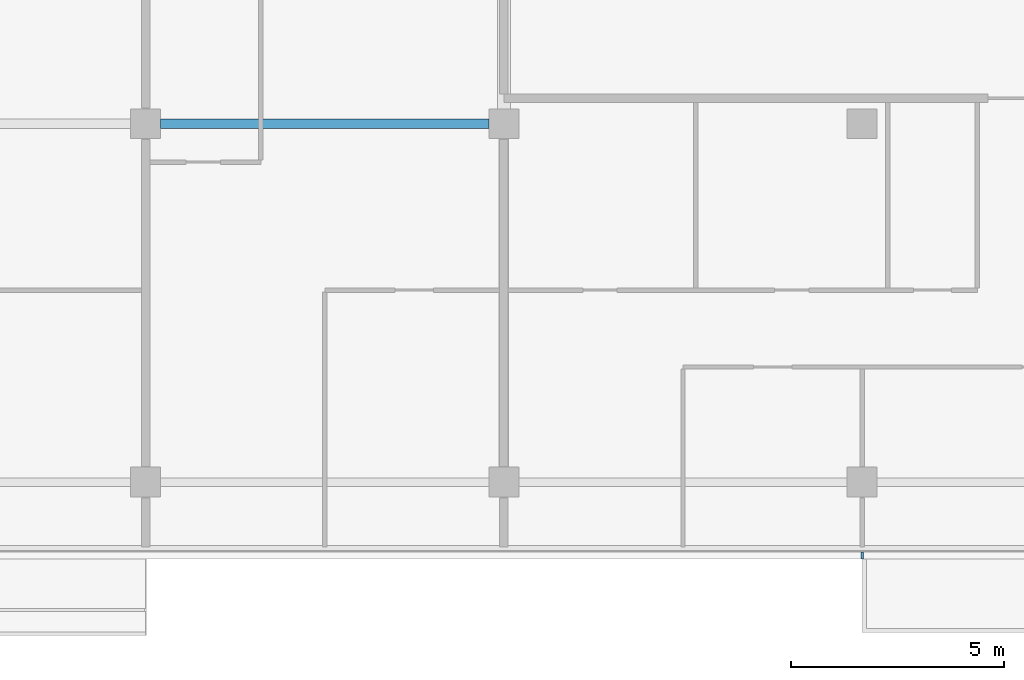
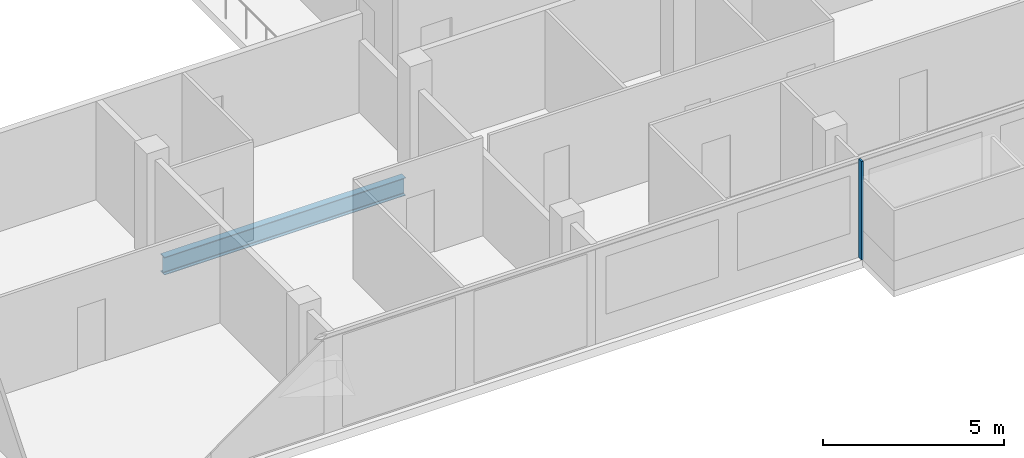
# One storey, part 6 of 27: 1 beam, 1 member, 1 element without a shape of its own.
"""IFC4 building model written with IfcOpenShell, lengths in metres."""

from ifc_helpers import new_model, si_unit, direction, frame, origin, origin_2d, place, context, subcontext, project, spatial, rectangle, i_section, extrude, material, material_profile, profile_set, type_object, element, aggregate, save


model = new_model("IFC4")

# Units and contexts
model_context = context("Model", 3, precision=1e-05, world=origin(), true_north=direction((0.0, 1.0)))
body_context = subcontext(model_context, "Body", "Model", "MODEL_VIEW")
ifc_project = project(units=[si_unit("LENGTHUNIT", "METRE"), si_unit("AREAUNIT", "SQUARE_METRE"), si_unit("VOLUMEUNIT", "CUBIC_METRE"), si_unit("PLANEANGLEUNIT", "RADIAN"), si_unit("MASSUNIT", "GRAM", prefix="KILO")], contexts=[model_context])

# Site, building, storey
site_placement = place(None, origin())
site = spatial("IfcSite", under=ifc_project, at=site_placement, CompositionType="ELEMENT")
building_placement = place(site_placement, origin())
building = spatial("IfcBuilding", under=site, at=building_placement, Name="Saffron Gate Tower", CompositionType="ELEMENT")
storey_placement = place(building_placement, frame((0.0, 0.0, 172.64990234375)))
storey = spatial("IfcBuildingStorey", under=building, at=storey_placement, Name="L42", CompositionType="ELEMENT", Elevation=172.64990234375)

# Beam
ifc_material_1 = material(Name="Structural steel S355", Category="steel")
ifc_material_profile_1 = material_profile(ifc_material_1, i_section(OverallWidth=0.219970703125, OverallDepth=0.60009765625, WebThickness=0.011962890625, FlangeThickness=0.01904296875, FilletRadius=0.02392578125, at=origin_2d()))
ifc_profile_set_1 = profile_set([ifc_material_profile_1], Name="Structural steel S355")
beam_type = type_object("IfcBeamType", Name="B15 IPE 600", PredefinedType="BEAM", material=ifc_profile_set_1)
beam_placement = place(storey_placement, frame((92.14990234375, 40.199951171875, -0.579833984375), z_axis=(1.0, 0.0, 0.0), x_axis=(0.0, 1.0, 0.0)))
element("IfcBeam", 1, at=beam_placement, inside=storey, type_object=beam_type, Name="B15 FLOOR GIRDER", PredefinedType="BEAM", context=body_context, shape_type="SweptSolid", body=[
    extrude(i_section(OverallWidth=0.219970703125, OverallDepth=0.60009765625, WebThickness=0.011962890625, FlangeThickness=0.01904296875, FilletRadius=0.02392578125, at=origin_2d()), origin(), (0.0, 0.0, 1.0), 7.7001953125),
])

# Curtain wall, member
ifc_material_2 = material(Name="Aluminium, bronze anodised", Category="aluminium")
curtain_wall_type = type_object("IfcCurtainWallType", Name="CWS1 curtain wall front facade", PredefinedType="NOTDEFINED", material=ifc_material_2)
curtain_wall_placement = place(storey_placement, origin())
curtain_wall = element("IfcCurtainWall", 2, at=curtain_wall_placement, inside=storey, type_object=curtain_wall_type, Name="CWS1 run 1", PredefinedType="NOTDEFINED")
ifc_material_profile_2 = material_profile(ifc_material_2, rectangle(XDim=0.159912109375, YDim=0.06005859375, at=origin_2d()))
ifc_profile_set_2 = profile_set([ifc_material_profile_2], Name="Aluminium, bronze anodised")
member_type = type_object("IfcMemberType", Name="CWS1 mullion 60x160", PredefinedType="MULLION", material=ifc_profile_set_2)
member_placement = place(storey_placement, frame((108.60009765625, 30.080078125, 0.0), z_axis=(0.0, 0.0, 1.0), x_axis=(0.0, 1.0, 0.0)))
member = element("IfcMember", 3, at=member_placement, type_object=member_type, Name="CWS1 mullion 8", PredefinedType="MULLION", context=body_context, shape_type="SweptSolid", body=[
    extrude(rectangle(XDim=0.159912109375, YDim=0.06005859375, at=origin_2d()), origin(), (0.0, 0.0, 1.0), 3.320068359375),
])
aggregate(curtain_wall, [member])

save(model, "model.ifc")
